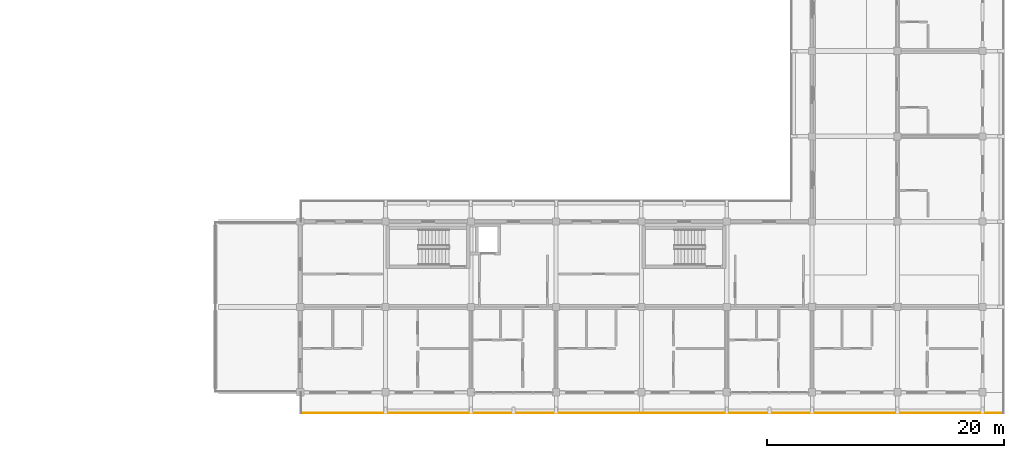
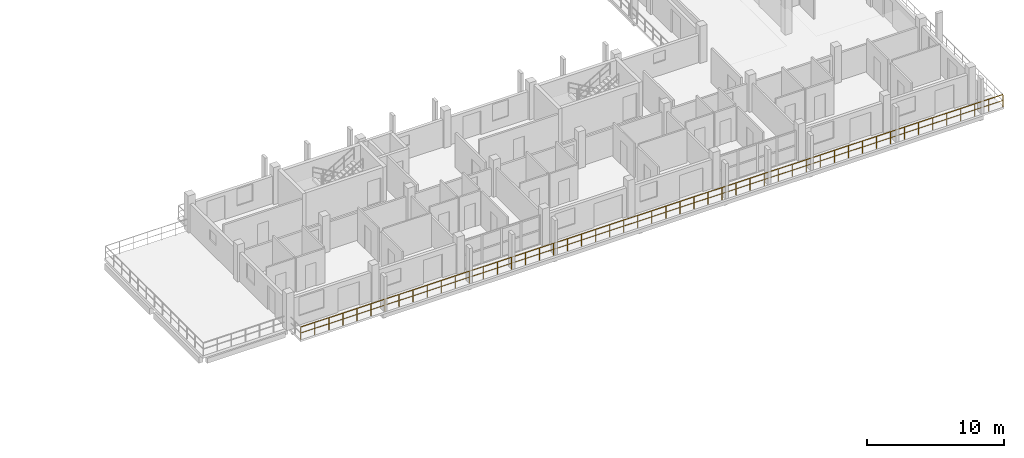
# One storey, part 70 of 75: 1 railing.
"""IFC4 building model written with IfcOpenShell, lengths in metres."""

from ifc_helpers import new_model, si_unit, direction, frame, origin, origin_2d, place, context, subcontext, project, spatial, rectangle, extrude, material, type_object, element, save


model = new_model("IFC4")

# Units and contexts
model_context = context("Model", 3, precision=1e-05, world=origin(), true_north=direction((0.0, 1.0)))
body_context = subcontext(model_context, "Body", "Model", "MODEL_VIEW")
ifc_project = project(units=[si_unit("LENGTHUNIT", "METRE"), si_unit("AREAUNIT", "SQUARE_METRE"), si_unit("VOLUMEUNIT", "CUBIC_METRE"), si_unit("PLANEANGLEUNIT", "RADIAN"), si_unit("MASSUNIT", "GRAM", prefix="KILO")], contexts=[model_context])

# Site, building, storey
site_placement = place(None, origin())
site = spatial("IfcSite", under=ifc_project, at=site_placement, CompositionType="ELEMENT")
building_placement = place(site_placement, origin())
building = spatial("IfcBuilding", under=site, at=building_placement, Name="Suanplinth Sawtooth Commons", CompositionType="ELEMENT")
storey_placement = place(building_placement, frame((0.0, 0.0, 18.60009765625)))
storey = spatial("IfcBuildingStorey", under=building, at=storey_placement, Name="L05", CompositionType="ELEMENT", Elevation=18.60009765625)

# Railing
ifc_material = material(Name="Powder-coated galvanized steel", Category="steel")
railing_type = type_object("IfcRailingType", Name="GR-01", PredefinedType="BALUSTRADE", material=ifc_material)
railing_placement = place(storey_placement, frame((188.93994140625, -1.739990234375, 0.0)))
element("IfcRailing", 1, at=railing_placement, inside=storey, type_object=railing_type, Name="L05 Block C Perimeter Balustrade 14", PredefinedType="BALUSTRADE", context=body_context, shape_type="SweptSolid", body=[
    extrude(rectangle(XDim=0.048095703125, YDim=0.048095703125, at=origin_2d()), frame((0.0, 0.0, 1.09619140625), z_axis=(-1.0, 0.0, 0.0), x_axis=(0.0, -1.0, 0.0)), (0.0, 0.0, 1.0), 59.280029296875),
    extrude(rectangle(XDim=0.03369140625, YDim=0.03369140625, at=origin_2d()), frame((0.0, 0.0, 0.56005859375), z_axis=(-1.0, 0.0, 0.0), x_axis=(0.0, -1.0, 0.0)), (0.0, 0.0, 1.0), 59.280029296875),
    extrude(rectangle(XDim=0.0419921875, YDim=0.0419921875, at=origin_2d()), origin(), (0.0, 0.0, 1.0), 1.072021484375),
    extrude(rectangle(XDim=0.0419921875, YDim=0.0419921875, at=origin_2d()), frame((-1.185546875, 0.0, 0.0)), (0.0, 0.0, 1.0), 1.072021484375),
    extrude(rectangle(XDim=0.0419921875, YDim=0.0419921875, at=origin_2d()), frame((-2.37109375, 0.0, 0.0)), (0.0, 0.0, 1.0), 1.072021484375),
    extrude(rectangle(XDim=0.0419921875, YDim=0.0419921875, at=origin_2d()), frame((-3.556884765625, 0.0, 0.0)), (0.0, 0.0, 1.0), 1.072021484375),
    extrude(rectangle(XDim=0.0419921875, YDim=0.0419921875, at=origin_2d()), frame((-4.742431640625, 0.0, 0.0)), (0.0, 0.0, 1.0), 1.072021484375),
    extrude(rectangle(XDim=0.0419921875, YDim=0.0419921875, at=origin_2d()), frame((-5.927978515625, 0.0, 0.0)), (0.0, 0.0, 1.0), 1.072021484375),
    extrude(rectangle(XDim=0.0419921875, YDim=0.0419921875, at=origin_2d()), frame((-7.113525390625, 0.0, 0.0)), (0.0, 0.0, 1.0), 1.072021484375),
    extrude(rectangle(XDim=0.0419921875, YDim=0.0419921875, at=origin_2d()), frame((-8.29931640625, 0.0, 0.0)), (0.0, 0.0, 1.0), 1.072021484375),
    extrude(rectangle(XDim=0.0419921875, YDim=0.0419921875, at=origin_2d()), frame((-9.48486328125, 0.0, 0.0)), (0.0, 0.0, 1.0), 1.072021484375),
    extrude(rectangle(XDim=0.0419921875, YDim=0.0419921875, at=origin_2d()), frame((-10.67041015625, 0.0, 0.0)), (0.0, 0.0, 1.0), 1.072021484375),
    extrude(rectangle(XDim=0.0419921875, YDim=0.0419921875, at=origin_2d()), frame((-11.85595703125, 0.0, 0.0)), (0.0, 0.0, 1.0), 1.072021484375),
    extrude(rectangle(XDim=0.0419921875, YDim=0.0419921875, at=origin_2d()), frame((-13.04150390625, 0.0, 0.0)), (0.0, 0.0, 1.0), 1.072021484375),
    extrude(rectangle(XDim=0.0419921875, YDim=0.0419921875, at=origin_2d()), frame((-14.227294921875, 0.0, 0.0)), (0.0, 0.0, 1.0), 1.072021484375),
    extrude(rectangle(XDim=0.0419921875, YDim=0.0419921875, at=origin_2d()), frame((-15.412841796875, 0.0, 0.0)), (0.0, 0.0, 1.0), 1.072021484375),
    extrude(rectangle(XDim=0.0419921875, YDim=0.0419921875, at=origin_2d()), frame((-16.598388671875, 0.0, 0.0)), (0.0, 0.0, 1.0), 1.072021484375),
    extrude(rectangle(XDim=0.0419921875, YDim=0.0419921875, at=origin_2d()), frame((-17.783935546875, 0.0, 0.0)), (0.0, 0.0, 1.0), 1.072021484375),
    extrude(rectangle(XDim=0.0419921875, YDim=0.0419921875, at=origin_2d()), frame((-18.9697265625, 0.0, 0.0)), (0.0, 0.0, 1.0), 1.072021484375),
    extrude(rectangle(XDim=0.0419921875, YDim=0.0419921875, at=origin_2d()), frame((-20.1552734375, 0.0, 0.0)), (0.0, 0.0, 1.0), 1.072021484375),
    extrude(rectangle(XDim=0.0419921875, YDim=0.0419921875, at=origin_2d()), frame((-21.3408203125, 0.0, 0.0)), (0.0, 0.0, 1.0), 1.072021484375),
    extrude(rectangle(XDim=0.0419921875, YDim=0.0419921875, at=origin_2d()), frame((-22.5263671875, 0.0, 0.0)), (0.0, 0.0, 1.0), 1.072021484375),
    extrude(rectangle(XDim=0.0419921875, YDim=0.0419921875, at=origin_2d()), frame((-23.7119140625, 0.0, 0.0)), (0.0, 0.0, 1.0), 1.072021484375),
    extrude(rectangle(XDim=0.0419921875, YDim=0.0419921875, at=origin_2d()), frame((-24.897705078125, 0.0, 0.0)), (0.0, 0.0, 1.0), 1.072021484375),
    extrude(rectangle(XDim=0.0419921875, YDim=0.0419921875, at=origin_2d()), frame((-26.083251953125, 0.0, 0.0)), (0.0, 0.0, 1.0), 1.072021484375),
    extrude(rectangle(XDim=0.0419921875, YDim=0.0419921875, at=origin_2d()), frame((-27.268798828125, 0.0, 0.0)), (0.0, 0.0, 1.0), 1.072021484375),
    extrude(rectangle(XDim=0.0419921875, YDim=0.0419921875, at=origin_2d()), frame((-28.454345703125, 0.0, 0.0)), (0.0, 0.0, 1.0), 1.072021484375),
    extrude(rectangle(XDim=0.0419921875, YDim=0.0419921875, at=origin_2d()), frame((-29.64013671875, 0.0, 0.0)), (0.0, 0.0, 1.0), 1.072021484375),
    extrude(rectangle(XDim=0.0419921875, YDim=0.0419921875, at=origin_2d()), frame((-30.82568359375, 0.0, 0.0)), (0.0, 0.0, 1.0), 1.072021484375),
    extrude(rectangle(XDim=0.0419921875, YDim=0.0419921875, at=origin_2d()), frame((-32.01123046875, 0.0, 0.0)), (0.0, 0.0, 1.0), 1.072021484375),
    extrude(rectangle(XDim=0.0419921875, YDim=0.0419921875, at=origin_2d()), frame((-33.19677734375, 0.0, 0.0)), (0.0, 0.0, 1.0), 1.072021484375),
    extrude(rectangle(XDim=0.0419921875, YDim=0.0419921875, at=origin_2d()), frame((-34.38232421875, 0.0, 0.0)), (0.0, 0.0, 1.0), 1.072021484375),
    extrude(rectangle(XDim=0.0419921875, YDim=0.0419921875, at=origin_2d()), frame((-35.568115234375, 0.0, 0.0)), (0.0, 0.0, 1.0), 1.072021484375),
    extrude(rectangle(XDim=0.0419921875, YDim=0.0419921875, at=origin_2d()), frame((-36.753662109375, 0.0, 0.0)), (0.0, 0.0, 1.0), 1.072021484375),
    extrude(rectangle(XDim=0.0419921875, YDim=0.0419921875, at=origin_2d()), frame((-37.939208984375, 0.0, 0.0)), (0.0, 0.0, 1.0), 1.072021484375),
    extrude(rectangle(XDim=0.0419921875, YDim=0.0419921875, at=origin_2d()), frame((-39.124755859375, 0.0, 0.0)), (0.0, 0.0, 1.0), 1.072021484375),
    extrude(rectangle(XDim=0.0419921875, YDim=0.0419921875, at=origin_2d()), frame((-40.310302734375, 0.0, 0.0)), (0.0, 0.0, 1.0), 1.072021484375),
    extrude(rectangle(XDim=0.0419921875, YDim=0.0419921875, at=origin_2d()), frame((-41.49609375, 0.0, 0.0)), (0.0, 0.0, 1.0), 1.072021484375),
    extrude(rectangle(XDim=0.0419921875, YDim=0.0419921875, at=origin_2d()), frame((-42.681640625, 0.0, 0.0)), (0.0, 0.0, 1.0), 1.072021484375),
    extrude(rectangle(XDim=0.0419921875, YDim=0.0419921875, at=origin_2d()), frame((-43.8671875, 0.0, 0.0)), (0.0, 0.0, 1.0), 1.072021484375),
    extrude(rectangle(XDim=0.0419921875, YDim=0.0419921875, at=origin_2d()), frame((-45.052734375, 0.0, 0.0)), (0.0, 0.0, 1.0), 1.072021484375),
    extrude(rectangle(XDim=0.0419921875, YDim=0.0419921875, at=origin_2d()), frame((-46.238525390625, 0.0, 0.0)), (0.0, 0.0, 1.0), 1.072021484375),
    extrude(rectangle(XDim=0.0419921875, YDim=0.0419921875, at=origin_2d()), frame((-47.424072265625, 0.0, 0.0)), (0.0, 0.0, 1.0), 1.072021484375),
    extrude(rectangle(XDim=0.0419921875, YDim=0.0419921875, at=origin_2d()), frame((-48.609619140625, 0.0, 0.0)), (0.0, 0.0, 1.0), 1.072021484375),
    extrude(rectangle(XDim=0.0419921875, YDim=0.0419921875, at=origin_2d()), frame((-49.795166015625, 0.0, 0.0)), (0.0, 0.0, 1.0), 1.072021484375),
    extrude(rectangle(XDim=0.0419921875, YDim=0.0419921875, at=origin_2d()), frame((-50.980712890625, 0.0, 0.0)), (0.0, 0.0, 1.0), 1.072021484375),
    extrude(rectangle(XDim=0.0419921875, YDim=0.0419921875, at=origin_2d()), frame((-52.16650390625, 0.0, 0.0)), (0.0, 0.0, 1.0), 1.072021484375),
    extrude(rectangle(XDim=0.0419921875, YDim=0.0419921875, at=origin_2d()), frame((-53.35205078125, 0.0, 0.0)), (0.0, 0.0, 1.0), 1.072021484375),
    extrude(rectangle(XDim=0.0419921875, YDim=0.0419921875, at=origin_2d()), frame((-54.53759765625, 0.0, 0.0)), (0.0, 0.0, 1.0), 1.072021484375),
    extrude(rectangle(XDim=0.0419921875, YDim=0.0419921875, at=origin_2d()), frame((-55.72314453125, 0.0, 0.0)), (0.0, 0.0, 1.0), 1.072021484375),
    extrude(rectangle(XDim=0.0419921875, YDim=0.0419921875, at=origin_2d()), frame((-56.908935546875, 0.0, 0.0)), (0.0, 0.0, 1.0), 1.072021484375),
    extrude(rectangle(XDim=0.0419921875, YDim=0.0419921875, at=origin_2d()), frame((-58.094482421875, 0.0, 0.0)), (0.0, 0.0, 1.0), 1.072021484375),
    extrude(rectangle(XDim=0.0419921875, YDim=0.0419921875, at=origin_2d()), frame((-59.280029296875, 0.0, 0.0)), (0.0, 0.0, 1.0), 1.072021484375),
])

save(model, "model.ifc")
